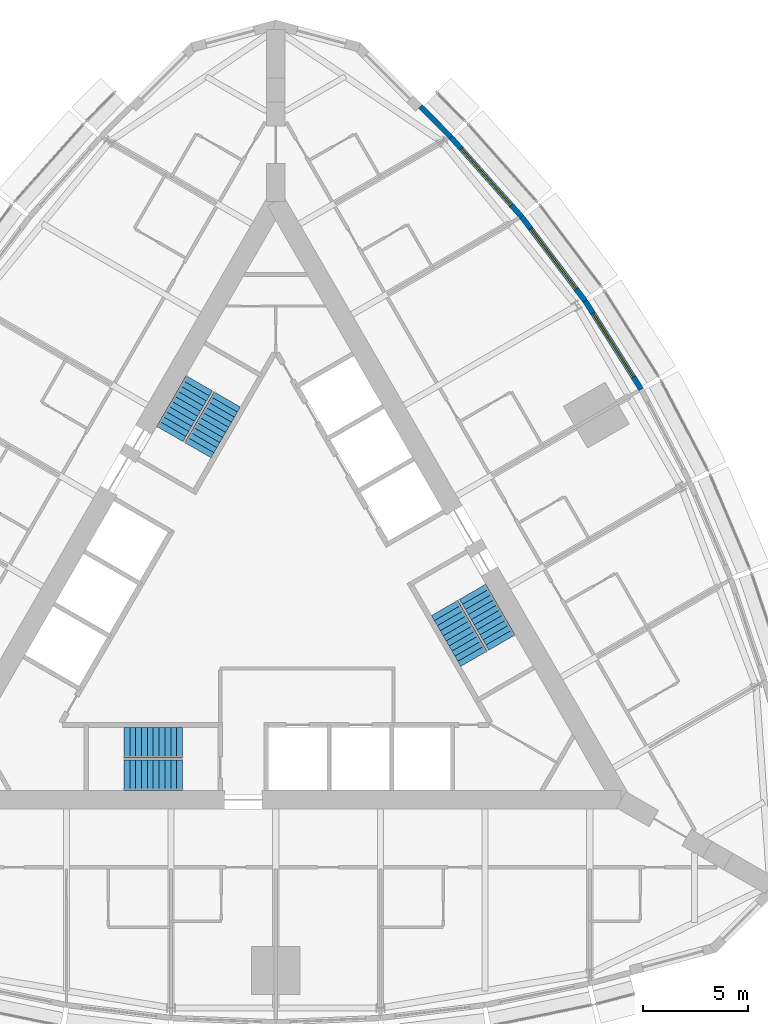
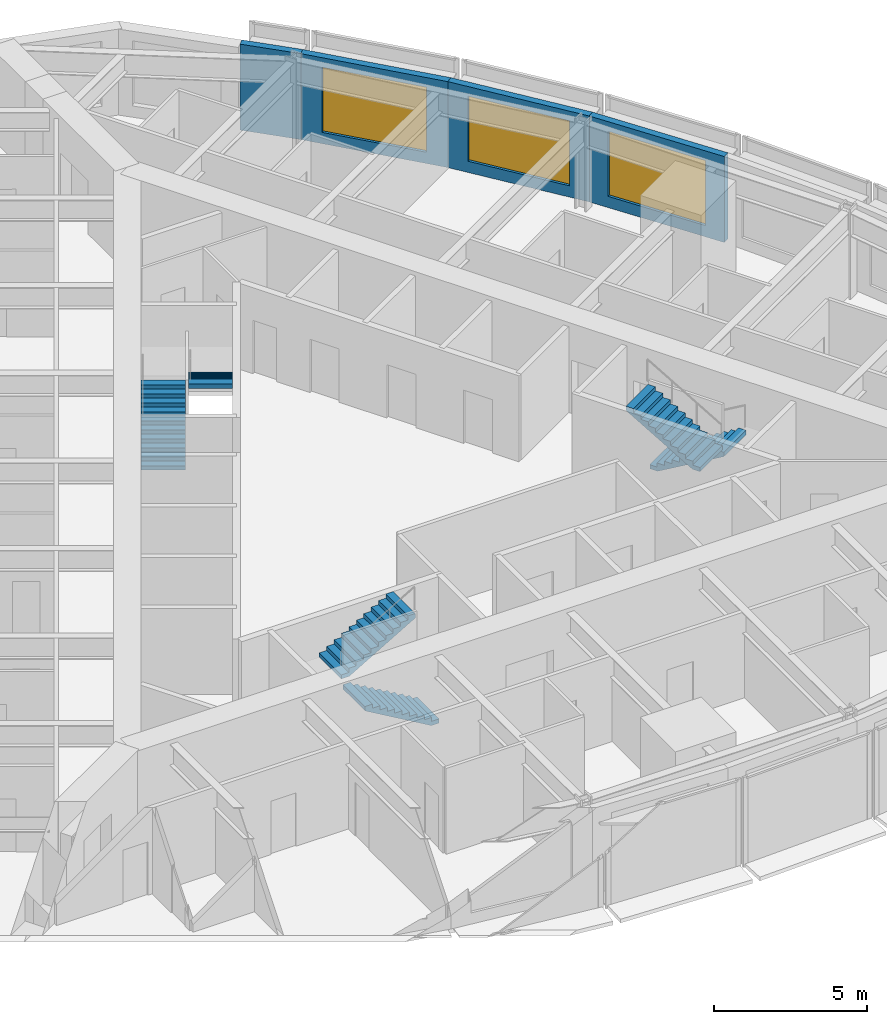
# One storey, part 14 of 15: 6 stair flights, 4 walls, 3 windows, 3 openings, 3 elements without a shape of their own.
"""IFC4 building model written with IfcOpenShell, lengths in metres."""

from ifc_helpers import new_model, si_unit, direction, frame, frame_2d, origin, place, context, subcontext, project, spatial, polyline, rectangle, outline, extrude, material, layer, layer_set, type_object, element, fill, aggregate, save


model = new_model("IFC4")

# Units and contexts
model_context = context("Model", 3, precision=1e-05, world=origin(), true_north=direction((0.0, 1.0)))
body_context = subcontext(model_context, "Body", "Model", "MODEL_VIEW")
ifc_project = project(units=[si_unit("LENGTHUNIT", "METRE"), si_unit("AREAUNIT", "SQUARE_METRE"), si_unit("VOLUMEUNIT", "CUBIC_METRE"), si_unit("PLANEANGLEUNIT", "RADIAN"), si_unit("MASSUNIT", "GRAM", prefix="KILO")], contexts=[model_context])

# Site, building, storey
site_placement = place(None, origin())
site = spatial("IfcSite", under=ifc_project, at=site_placement, CompositionType="ELEMENT")
building_placement = place(site_placement, origin())
building = spatial("IfcBuilding", under=site, at=building_placement, Name="Trikona Tower", CompositionType="ELEMENT")
storey_placement = place(building_placement, frame((0.0, 0.0, 200.89990234375)))
storey = spatial("IfcBuildingStorey", under=building, at=storey_placement, Name="L53", CompositionType="ELEMENT", Elevation=200.89990234375)

# Wall, opening, window
ifc_material_1 = material(Name="Insulated precast concrete spandrel panel", Category="concrete")
ifc_layer = layer(ifc_material_1, 0.25)
ifc_layer_set = layer_set([ifc_layer], Name="Inner skin wall 250")
wall_type = type_object("IfcWallType", Name="Inner skin wall 250", PredefinedType="STANDARD", material=ifc_layer_set)
wall_1_placement = place(storey_placement, frame((17.45556640625, 10.072021484375, 0.0), z_axis=(0.0, 0.0, 1.0), x_axis=(-0.535220361449, 0.844712474568, 0.0)))
wall_1 = element("IfcWall", 1, at=wall_1_placement, inside=storey, type_object=wall_type, Name="External wall L53-16", PredefinedType="STANDARD", context=body_context, shape_type="SweptSolid", body=[
    extrude(rectangle(XDim=5.00439453125, YDim=0.25, at=frame_2d((2.502197265625, 0.0))), origin(), (0.0, 0.0, 1.0), 3.43505859375),
])
opening_1_placement = place(wall_1_placement, frame((0.7021484375, 0.0, 0.449951171875)))
opening_1 = element("IfcOpeningElement", 2, at=opening_1_placement, cuts=wall_1, Name="Opening W3626", PredefinedType="OPENING", context=body_context, shape_type="SweptSolid", body=[
    extrude(rectangle(XDim=3.60009765625, YDim=2.60009765625, at=frame_2d((1.800048828125, 1.300048828125))), frame((0.0, 0.135009765625, 0.0), z_axis=(0.0, -1.0, 0.0), x_axis=(1.0, 0.0, 0.0)), (0.0, 0.0, 1.0), 0.27001953125),
])
ifc_material_2 = material(Name="Aluminium-framed double glazing", Category="aluminium")
window_type = type_object("IfcWindowType", Name="Window 3600x2600", PartitioningType="SINGLE_PANEL", PredefinedType="WINDOW", material=ifc_material_2)
window_1_placement = place(opening_1_placement, origin())
window_1 = element("IfcWindow", 3, at=window_1_placement, inside=storey, type_object=window_type, Name="Window 5309", OverallHeight=2.60009765625, OverallWidth=3.60009765625, PartitioningType="SINGLE_PANEL", PredefinedType="WINDOW", context=body_context, shape_type="SweptSolid", body=[
    extrude(rectangle(XDim=3.60009765625, YDim=2.60009765625, at=frame_2d((1.800048828125, 1.300048828125))), frame((0.0, 0.030029296875, 0.0), z_axis=(0.0, -1.0, 0.0), x_axis=(1.0, 0.0, 0.0)), (0.0, 0.0, 1.0), 0.06005859375),
])
fill(opening_1, window_1)

wall_2_placement = place(storey_placement, frame((14.782958984375, 14.290771484375, 0.0), z_axis=(0.0, 0.0, 1.0), x_axis=(-0.602408653511, 0.798187831388, 0.0)))
wall_2 = element("IfcWall", 4, at=wall_2_placement, inside=storey, type_object=wall_type, Name="External wall L53-17", PredefinedType="STANDARD", context=body_context, shape_type="SweptSolid", body=[
    extrude(rectangle(XDim=5.037841796875, YDim=0.25, at=frame_2d((2.51904296875, 0.0))), origin(), (0.0, 0.0, 1.0), 3.43505859375),
])
opening_2_placement = place(wall_2_placement, frame((0.718994140625, 0.0, 0.449951171875)))
opening_2 = element("IfcOpeningElement", 5, at=opening_2_placement, cuts=wall_2, Name="Opening W3626", PredefinedType="OPENING", context=body_context, shape_type="SweptSolid", body=[
    extrude(rectangle(XDim=3.60009765625, YDim=2.60009765625, at=frame_2d((1.800048828125, 1.300048828125))), frame((0.0, 0.135009765625, 0.0), z_axis=(0.0, -1.0, 0.0), x_axis=(1.0, 0.0, 0.0)), (0.0, 0.0, 1.0), 0.27001953125),
])
window_2_placement = place(opening_2_placement, origin())
window_2 = element("IfcWindow", 6, at=window_2_placement, inside=storey, type_object=window_type, Name="Window 5309", OverallHeight=2.60009765625, OverallWidth=3.60009765625, PartitioningType="SINGLE_PANEL", PredefinedType="WINDOW", context=body_context, shape_type="SweptSolid", body=[
    extrude(rectangle(XDim=3.60009765625, YDim=2.60009765625, at=frame_2d((1.800048828125, 1.300048828125))), frame((0.0, 0.030029296875, 0.0), z_axis=(0.0, -1.0, 0.0), x_axis=(1.0, 0.0, 0.0)), (0.0, 0.0, 1.0), 0.06005859375),
])
fill(opening_2, window_2)

wall_3_placement = place(storey_placement, frame((11.75439453125, 18.304443359375, 0.0), z_axis=(0.0, 0.0, 1.0), x_axis=(-0.664348996191, 0.747422511876, 0.0)))
wall_3 = element("IfcWall", 7, at=wall_3_placement, inside=storey, type_object=wall_type, Name="External wall L53-18", PredefinedType="STANDARD", context=body_context, shape_type="SweptSolid", body=[
    extrude(rectangle(XDim=5.104736328125, YDim=0.25, at=frame_2d((2.55224609375, 0.0))), origin(), (0.0, 0.0, 1.0), 3.43505859375),
])
opening_3_placement = place(wall_3_placement, frame((0.75244140625, 0.0, 0.449951171875)))
opening_3 = element("IfcOpeningElement", 8, at=opening_3_placement, cuts=wall_3, Name="Opening W3626", PredefinedType="OPENING", context=body_context, shape_type="SweptSolid", body=[
    extrude(rectangle(XDim=3.60009765625, YDim=2.60009765625, at=frame_2d((1.800048828125, 1.300048828125))), frame((0.0, 0.135009765625, 0.0), z_axis=(0.0, -1.0, 0.0), x_axis=(1.0, 0.0, 0.0)), (0.0, 0.0, 1.0), 0.27001953125),
])
window_3_placement = place(opening_3_placement, origin())
window_3 = element("IfcWindow", 9, at=window_3_placement, inside=storey, type_object=window_type, Name="Window 5310", OverallHeight=2.60009765625, OverallWidth=3.60009765625, PartitioningType="SINGLE_PANEL", PredefinedType="WINDOW", context=body_context, shape_type="SweptSolid", body=[
    extrude(rectangle(XDim=3.60009765625, YDim=2.60009765625, at=frame_2d((1.800048828125, 1.300048828125))), frame((0.0, 0.030029296875, 0.0), z_axis=(0.0, -1.0, 0.0), x_axis=(1.0, 0.0, 0.0)), (0.0, 0.0, 1.0), 0.06005859375),
])
fill(opening_3, window_3)

# Wall
wall_4_placement = place(storey_placement, frame((8.36767578125, 22.11474609375, 0.0), z_axis=(0.0, 0.0, 1.0), x_axis=(-0.704149946111, 0.710051303352, 0.0)))
element("IfcWall", 10, at=wall_4_placement, inside=storey, type_object=wall_type, Name="External wall L53-19", PredefinedType="STANDARD", context=body_context, shape_type="SweptSolid", body=[
    extrude(rectangle(XDim=2.068603515625, YDim=0.25, at=frame_2d((1.0341796875, 0.0))), origin(), (0.0, 0.0, 1.0), 3.43505859375),
])

# Stair, stair flights
ifc_material_3 = material(Name="Concrete f'c 5000 psi", Category="concrete")
stair_type = type_object("IfcStairType", Name="Core stair", PredefinedType="HALF_TURN_STAIR", material=ifc_material_3)
stair_1_placement = place(storey_placement, origin())
stair_1 = element("IfcStair", 11, at=stair_1_placement, inside=storey, type_object=stair_type, Name="Stair A L53", PredefinedType="HALF_TURN_STAIR")
ifc_material_4 = material(Name="Concrete f'c 5000 psi", Category="concrete")
stair_flight_type = type_object("IfcStairFlightType", Name="Core stair flight 1450", PredefinedType="STRAIGHT", material=ifc_material_4)
stair_flight_1_placement = place(storey_placement, frame((-4.449951171875, -8.351318359375, 0.0), z_axis=(0.0, 0.0, 1.0), x_axis=(-1.0, 0.0, 0.0)))
stair_flight_1 = element("IfcStairFlight", 12, at=stair_flight_1_placement, type_object=stair_flight_type, Name="ST-A flight 1", NumberOfRisers=11, NumberOfTreads=10, PredefinedType="STRAIGHT", RiserHeight=0.163636, TreadLength=0.28, context=body_context, shape_type="SweptSolid", body=[
    extrude(outline(polyline([(0.0, 0.0), (0.0, 0.16357421875), (0.280029296875, 0.16357421875), (0.280029296875, 0.327392578125), (0.56005859375, 0.327392578125), (0.56005859375, 0.490966796875), (0.840087890625, 0.490966796875), (0.840087890625, 0.654541015625), (1.1201171875, 0.654541015625), (1.1201171875, 0.818115234375), (1.39990234375, 0.818115234375), (1.39990234375, 0.98193359375), (1.679931640625, 0.98193359375), (1.679931640625, 1.1455078125), (1.9599609375, 1.1455078125), (1.9599609375, 1.30908203125), (2.239990234375, 1.30908203125), (2.239990234375, 1.47265625), (2.52001953125, 1.47265625), (2.52001953125, 1.636474609375), (2.800048828125, 1.636474609375), (2.800048828125, 1.800048828125), (2.800048828125, 1.462646484375), (0.297119140625, 0.0), (0.0, 0.0)])), frame((0.0, 0.72509765625, 0.0), z_axis=(0.0, -1.0, 0.0), x_axis=(1.0, 0.0, 0.0)), (0.0, 0.0, 1.0), 1.449951171875),
])
stair_flight_2_placement = place(storey_placement, frame((-7.25, -6.80126953125, 1.800048828125), z_axis=(0.0, 0.0, 1.0), x_axis=(1.0, 0.0, 0.0)))
stair_flight_2 = element("IfcStairFlight", 13, at=stair_flight_2_placement, type_object=stair_flight_type, Name="ST-A flight 2", NumberOfRisers=11, NumberOfTreads=10, PredefinedType="STRAIGHT", RiserHeight=0.163636, TreadLength=0.28, context=body_context, shape_type="SweptSolid", body=[
    extrude(outline(polyline([(0.0, 0.0), (0.0, 0.16357421875), (0.280029296875, 0.16357421875), (0.280029296875, 0.327392578125), (0.56005859375, 0.327392578125), (0.56005859375, 0.490966796875), (0.840087890625, 0.490966796875), (0.840087890625, 0.654541015625), (1.1201171875, 0.654541015625), (1.1201171875, 0.818115234375), (1.39990234375, 0.818115234375), (1.39990234375, 0.98193359375), (1.679931640625, 0.98193359375), (1.679931640625, 1.1455078125), (1.9599609375, 1.1455078125), (1.9599609375, 1.30908203125), (2.239990234375, 1.30908203125), (2.239990234375, 1.47265625), (2.52001953125, 1.47265625), (2.52001953125, 1.636474609375), (2.800048828125, 1.636474609375), (2.800048828125, 1.800048828125), (2.800048828125, 1.462646484375), (0.297119140625, 0.0), (0.0, 0.0)])), frame((0.0, 0.72509765625, 0.0), z_axis=(0.0, -1.0, 0.0), x_axis=(1.0, 0.0, 0.0)), (0.0, 0.0, 1.0), 1.449951171875),
])
aggregate(stair_1, [stair_flight_1, stair_flight_2])

stair_2_placement = place(storey_placement, origin())
stair_2 = element("IfcStair", 14, at=stair_2_placement, inside=storey, type_object=stair_type, Name="Stair B L53", PredefinedType="HALF_TURN_STAIR")
stair_flight_3_placement = place(storey_placement, frame((9.407470703125, 0.408447265625, 0.0), z_axis=(0.0, 0.0, 1.0), x_axis=(0.5, -0.866025403784, 0.0)))
stair_flight_3 = element("IfcStairFlight", 15, at=stair_flight_3_placement, type_object=stair_flight_type, Name="ST-B flight 1", NumberOfRisers=11, NumberOfTreads=10, PredefinedType="STRAIGHT", RiserHeight=0.163636, TreadLength=0.28, context=body_context, shape_type="SweptSolid", body=[
    extrude(outline(polyline([(0.0, 0.0), (0.0, 0.16357421875), (0.280029296875, 0.16357421875), (0.280029296875, 0.327392578125), (0.56005859375, 0.327392578125), (0.56005859375, 0.490966796875), (0.840087890625, 0.490966796875), (0.840087890625, 0.654541015625), (1.1201171875, 0.654541015625), (1.1201171875, 0.818115234375), (1.39990234375, 0.818115234375), (1.39990234375, 0.98193359375), (1.679931640625, 0.98193359375), (1.679931640625, 1.1455078125), (1.9599609375, 1.1455078125), (1.9599609375, 1.30908203125), (2.239990234375, 1.30908203125), (2.239990234375, 1.47265625), (2.52001953125, 1.47265625), (2.52001953125, 1.636474609375), (2.800048828125, 1.636474609375), (2.800048828125, 1.800048828125), (2.800048828125, 1.462646484375), (0.297119140625, 0.0), (0.0, 0.0)])), frame((0.0, 0.72509765625, 0.0), z_axis=(0.0, -1.0, 0.0), x_axis=(1.0, 0.0, 0.0)), (0.0, 0.0, 1.0), 1.449951171875),
])
stair_flight_4_placement = place(storey_placement, frame((9.465087890625, -2.79150390625, 1.800048828125), z_axis=(0.0, 0.0, 1.0), x_axis=(-0.5, 0.866025403784, 0.0)))
stair_flight_4 = element("IfcStairFlight", 16, at=stair_flight_4_placement, type_object=stair_flight_type, Name="ST-B flight 2", NumberOfRisers=11, NumberOfTreads=10, PredefinedType="STRAIGHT", RiserHeight=0.163636, TreadLength=0.28, context=body_context, shape_type="SweptSolid", body=[
    extrude(outline(polyline([(0.0, 0.0), (0.0, 0.16357421875), (0.280029296875, 0.16357421875), (0.280029296875, 0.327392578125), (0.56005859375, 0.327392578125), (0.56005859375, 0.490966796875), (0.840087890625, 0.490966796875), (0.840087890625, 0.654541015625), (1.1201171875, 0.654541015625), (1.1201171875, 0.818115234375), (1.39990234375, 0.818115234375), (1.39990234375, 0.98193359375), (1.679931640625, 0.98193359375), (1.679931640625, 1.1455078125), (1.9599609375, 1.1455078125), (1.9599609375, 1.30908203125), (2.239990234375, 1.30908203125), (2.239990234375, 1.47265625), (2.52001953125, 1.47265625), (2.52001953125, 1.636474609375), (2.800048828125, 1.636474609375), (2.800048828125, 1.800048828125), (2.800048828125, 1.462646484375), (0.297119140625, 0.0), (0.0, 0.0)])), frame((0.0, 0.72509765625, 0.0), z_axis=(0.0, -1.0, 0.0), x_axis=(1.0, 0.0, 0.0)), (0.0, 0.0, 1.0), 1.449951171875),
])
aggregate(stair_2, [stair_flight_3, stair_flight_4])

stair_3_placement = place(storey_placement, origin())
stair_3 = element("IfcStair", 17, at=stair_3_placement, inside=storey, type_object=stair_type, Name="Stair C L53", PredefinedType="HALF_TURN_STAIR")
stair_flight_5_placement = place(storey_placement, frame((-5.057373046875, 7.94287109375, 0.0), z_axis=(0.0, 0.0, 1.0), x_axis=(0.5, 0.866025403784, 0.0)))
stair_flight_5 = element("IfcStairFlight", 18, at=stair_flight_5_placement, type_object=stair_flight_type, Name="ST-C flight 1", NumberOfRisers=11, NumberOfTreads=10, PredefinedType="STRAIGHT", RiserHeight=0.163636, TreadLength=0.28, context=body_context, shape_type="SweptSolid", body=[
    extrude(outline(polyline([(0.0, 0.0), (0.0, 0.16357421875), (0.280029296875, 0.16357421875), (0.280029296875, 0.327392578125), (0.56005859375, 0.327392578125), (0.56005859375, 0.490966796875), (0.840087890625, 0.490966796875), (0.840087890625, 0.654541015625), (1.1201171875, 0.654541015625), (1.1201171875, 0.818115234375), (1.39990234375, 0.818115234375), (1.39990234375, 0.98193359375), (1.679931640625, 0.98193359375), (1.679931640625, 1.1455078125), (1.9599609375, 1.1455078125), (1.9599609375, 1.30908203125), (2.239990234375, 1.30908203125), (2.239990234375, 1.47265625), (2.52001953125, 1.47265625), (2.52001953125, 1.636474609375), (2.800048828125, 1.636474609375), (2.800048828125, 1.800048828125), (2.800048828125, 1.462646484375), (0.297119140625, 0.0), (0.0, 0.0)])), frame((0.0, 0.72509765625, 0.0), z_axis=(0.0, -1.0, 0.0), x_axis=(1.0, 0.0, 0.0)), (0.0, 0.0, 1.0), 1.449951171875),
])
stair_flight_6_placement = place(storey_placement, frame((-2.315185546875, 9.5927734375, 1.800048828125), z_axis=(0.0, 0.0, 1.0), x_axis=(-0.5, -0.866025403784, 0.0)))
stair_flight_6 = element("IfcStairFlight", 19, at=stair_flight_6_placement, type_object=stair_flight_type, Name="ST-C flight 2", NumberOfRisers=11, NumberOfTreads=10, PredefinedType="STRAIGHT", RiserHeight=0.163636, TreadLength=0.28, context=body_context, shape_type="SweptSolid", body=[
    extrude(outline(polyline([(0.0, 0.0), (0.0, 0.16357421875), (0.280029296875, 0.16357421875), (0.280029296875, 0.327392578125), (0.56005859375, 0.327392578125), (0.56005859375, 0.490966796875), (0.840087890625, 0.490966796875), (0.840087890625, 0.654541015625), (1.1201171875, 0.654541015625), (1.1201171875, 0.818115234375), (1.39990234375, 0.818115234375), (1.39990234375, 0.98193359375), (1.679931640625, 0.98193359375), (1.679931640625, 1.1455078125), (1.9599609375, 1.1455078125), (1.9599609375, 1.30908203125), (2.239990234375, 1.30908203125), (2.239990234375, 1.47265625), (2.52001953125, 1.47265625), (2.52001953125, 1.636474609375), (2.800048828125, 1.636474609375), (2.800048828125, 1.800048828125), (2.800048828125, 1.462646484375), (0.297119140625, 0.0), (0.0, 0.0)])), frame((0.0, 0.72509765625, 0.0), z_axis=(0.0, -1.0, 0.0), x_axis=(1.0, 0.0, 0.0)), (0.0, 0.0, 1.0), 1.449951171875),
])
aggregate(stair_3, [stair_flight_5, stair_flight_6])

save(model, "model.ifc")
